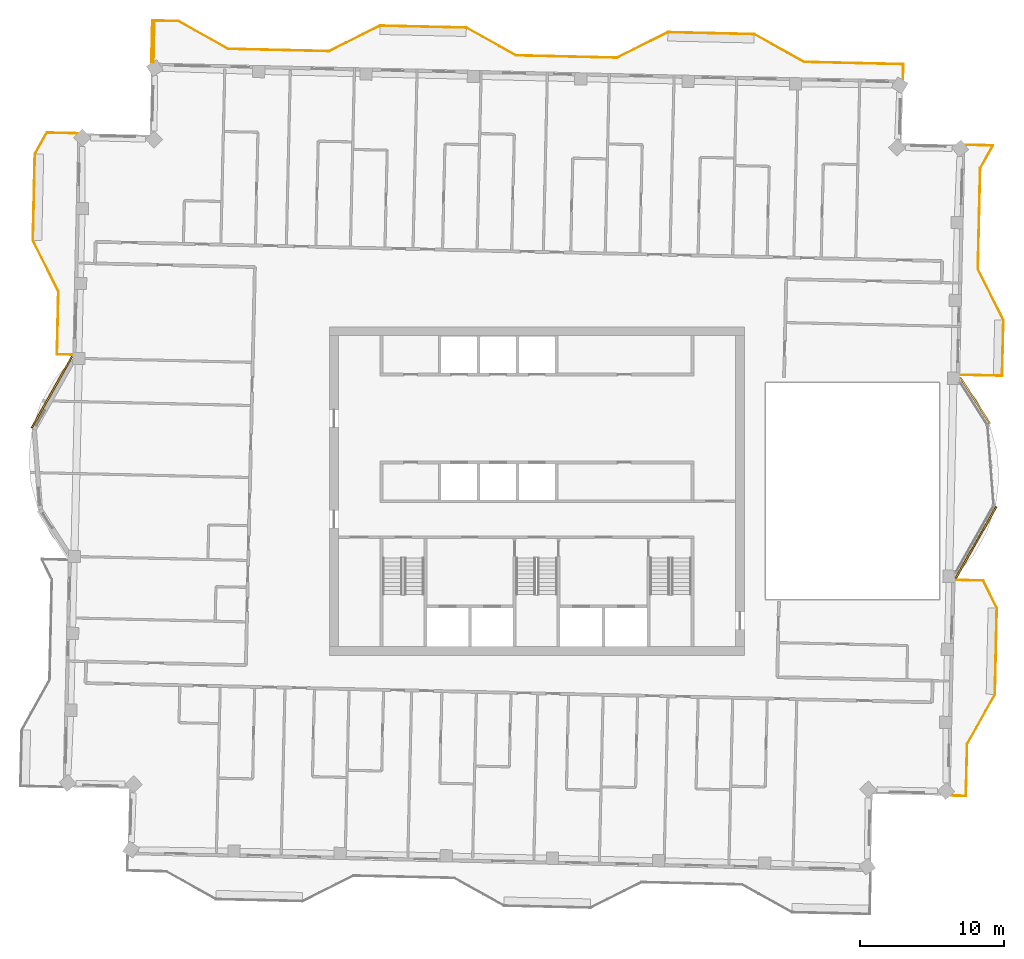
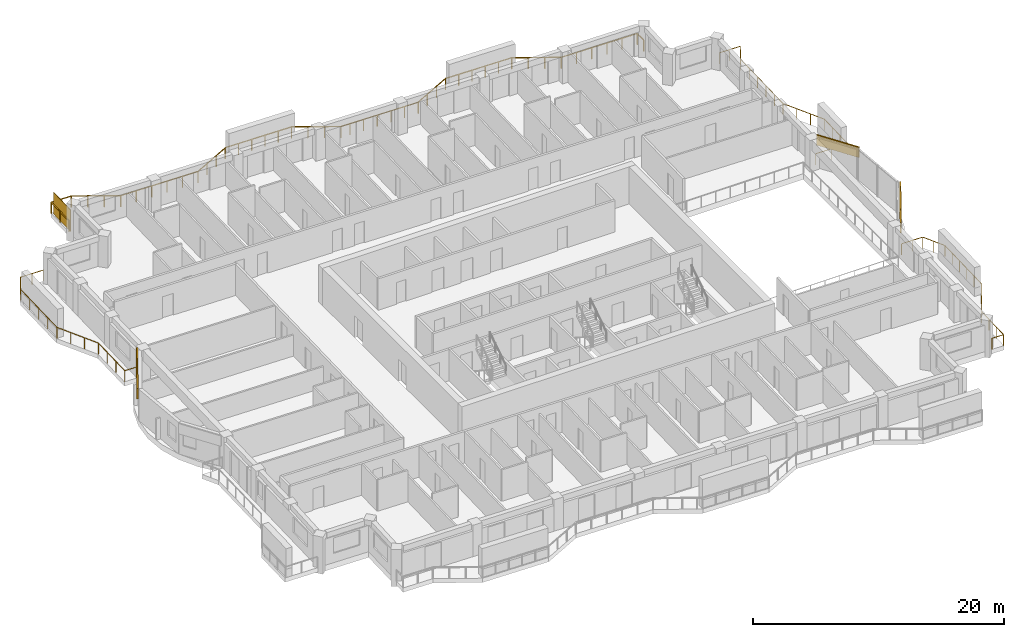
# One storey, part 15 of 15: 4 railings, 3 coverings, 1 shading device.
"""IFC4 building model written with IfcOpenShell, lengths in metres."""

from ifc_helpers import new_model, si_unit, direction, frame, frame_2d, origin, origin_2d, place, context, subcontext, project, spatial, rectangle, extrude, material, layer, layer_set, type_object, element, save


model = new_model("IFC4")

# Units and contexts
model_context = context("Model", 3, precision=1e-05, world=origin(), true_north=direction((0.0, 1.0)))
body_context = subcontext(model_context, "Body", "Model", "MODEL_VIEW")
ifc_project = project(units=[si_unit("LENGTHUNIT", "METRE"), si_unit("AREAUNIT", "SQUARE_METRE"), si_unit("VOLUMEUNIT", "CUBIC_METRE"), si_unit("PLANEANGLEUNIT", "RADIAN"), si_unit("MASSUNIT", "GRAM", prefix="KILO")], contexts=[model_context])

# Site, building, storey
site_placement = place(None, origin())
site = spatial("IfcSite", under=ifc_project, at=site_placement, CompositionType="ELEMENT")
building_placement = place(site_placement, origin())
building = spatial("IfcBuilding", under=site, at=building_placement, Name="Mangrove Gate Tower", CompositionType="ELEMENT")
storey_placement = place(building_placement, frame((0.0, 0.0, 316.89990234375)))
storey = spatial("IfcBuildingStorey", under=building, at=storey_placement, Name="L81", CompositionType="ELEMENT", Elevation=316.89990234375)

# Railings
ifc_material_1 = material(Name="Stainless steel grade 316 with laminated glass infill", Category="steel")
railing_type = type_object("IfcRailingType", Name="Balcony guard 1100", PredefinedType="GUARDRAIL", material=ifc_material_1)
railing_1_placement = place(storey_placement, frame((28.73095703125, -21.14404296875, 0.0)))
element("IfcRailing", 1, at=railing_1_placement, inside=storey, type_object=railing_type, Name="GUARD L81 E1", PredefinedType="GUARDRAIL", context=body_context, shape_type="SweptSolid", body=[
    extrude(rectangle(XDim=0.048095703125, YDim=0.048095703125, at=origin_2d()), frame((0.0, 0.0, 1.076171875), z_axis=(0.999744919731, -0.022585293253, 0.0), x_axis=(0.022585293253, 0.999744919731, 0.0)), (0.0, 0.0, 1.0), 1.059326171875),
    extrude(rectangle(XDim=0.048095703125, YDim=0.048095703125, at=origin_2d()), frame((1.05908203125, -0.02392578125, 1.076171875), z_axis=(0.022787650101, 0.999740327787, 0.0), x_axis=(-0.999740327787, 0.022787650101, 0.0)), (0.0, 0.0, 1.0), 3.599853515625),
    extrude(rectangle(XDim=0.048095703125, YDim=0.048095703125, at=origin_2d()), frame((1.14111328125, 3.574951171875, 1.076171875), z_axis=(0.48726008209, 0.87325689943, 0.0), x_axis=(-0.87325689943, 0.48726008209, 0.0)), (0.0, 0.0, 1.0), 3.958740234375),
    extrude(rectangle(XDim=0.048095703125, YDim=0.048095703125, at=origin_2d()), frame((3.070068359375, 7.031982421875, 1.076171875), z_axis=(0.022662255828, 0.999743178102, 0.0), x_axis=(-0.999743178102, 0.022662255828, 0.0)), (0.0, 0.0, 1.0), 6.00048828125),
    extrude(rectangle(XDim=0.048095703125, YDim=0.048095703125, at=origin_2d()), frame((3.2060546875, 13.031005859375, 1.076171875), z_axis=(-0.4472135955, 0.894427191, 0.0), x_axis=(-0.894427191, -0.4472135955, 0.0)), (0.0, 0.0, 1.0), 2.119873046875),
    extrude(rectangle(XDim=0.048095703125, YDim=0.048095703125, at=origin_2d()), frame((2.258056640625, 14.927001953125, 1.076171875), z_axis=(-0.999737880615, 0.022894760625, 0.0), x_axis=(-0.022894760625, -0.999737880615, 0.0)), (0.0, 0.0, 1.0), 1.91943359375),
    extrude(rectangle(XDim=0.0419921875, YDim=0.0419921875, at=origin_2d()), origin(), (0.0, 0.0, 1.0), 1.052001953125),
    extrude(rectangle(XDim=0.0419921875, YDim=0.0419921875, at=origin_2d()), frame((1.05908203125, -0.02392578125, 0.0)), (0.0, 0.0, 1.0), 1.052001953125),
    extrude(rectangle(XDim=0.0419921875, YDim=0.0419921875, at=origin_2d()), frame((1.08642578125, 1.17578125, 0.0)), (0.0, 0.0, 1.0), 1.052001953125),
    extrude(rectangle(XDim=0.0419921875, YDim=0.0419921875, at=origin_2d()), frame((1.11376953125, 2.375244140625, 0.0)), (0.0, 0.0, 1.0), 1.052001953125),
    extrude(rectangle(XDim=0.0419921875, YDim=0.0419921875, at=origin_2d()), frame((1.14111328125, 3.574951171875, 0.0)), (0.0, 0.0, 1.0), 1.052001953125),
    extrude(rectangle(XDim=0.0419921875, YDim=0.0419921875, at=origin_2d()), frame((1.7841796875, 4.727294921875, 0.0)), (0.0, 0.0, 1.0), 1.052001953125),
    extrude(rectangle(XDim=0.0419921875, YDim=0.0419921875, at=origin_2d()), frame((2.427001953125, 5.879638671875, 0.0)), (0.0, 0.0, 1.0), 1.052001953125),
    extrude(rectangle(XDim=0.0419921875, YDim=0.0419921875, at=origin_2d()), frame((3.070068359375, 7.031982421875, 0.0)), (0.0, 0.0, 1.0), 1.052001953125),
    extrude(rectangle(XDim=0.0419921875, YDim=0.0419921875, at=origin_2d()), frame((3.09716796875, 8.231689453125, 0.0)), (0.0, 0.0, 1.0), 1.052001953125),
    extrude(rectangle(XDim=0.0419921875, YDim=0.0419921875, at=origin_2d()), frame((3.12451171875, 9.431640625, 0.0)), (0.0, 0.0, 1.0), 1.052001953125),
    extrude(rectangle(XDim=0.0419921875, YDim=0.0419921875, at=origin_2d()), frame((3.151611328125, 10.63134765625, 0.0)), (0.0, 0.0, 1.0), 1.052001953125),
    extrude(rectangle(XDim=0.0419921875, YDim=0.0419921875, at=origin_2d()), frame((3.178955078125, 11.831298828125, 0.0)), (0.0, 0.0, 1.0), 1.052001953125),
    extrude(rectangle(XDim=0.0419921875, YDim=0.0419921875, at=origin_2d()), frame((3.2060546875, 13.031005859375, 0.0)), (0.0, 0.0, 1.0), 1.052001953125),
    extrude(rectangle(XDim=0.0419921875, YDim=0.0419921875, at=origin_2d()), frame((2.73193359375, 13.97900390625, 0.0)), (0.0, 0.0, 1.0), 1.052001953125),
    extrude(rectangle(XDim=0.0419921875, YDim=0.0419921875, at=origin_2d()), frame((2.258056640625, 14.927001953125, 0.0)), (0.0, 0.0, 1.0), 1.052001953125),
    extrude(rectangle(XDim=0.0419921875, YDim=0.0419921875, at=origin_2d()), frame((1.298583984375, 14.948974609375, 0.0)), (0.0, 0.0, 1.0), 1.052001953125),
    extrude(rectangle(XDim=0.0419921875, YDim=0.0419921875, at=origin_2d()), frame((0.339111328125, 14.970947265625, 0.0)), (0.0, 0.0, 1.0), 1.052001953125),
])
railing_2_placement = place(storey_placement, frame((29.39404296875, 8.073974609375, 0.0)))
element("IfcRailing", 2, at=railing_2_placement, inside=storey, type_object=railing_type, Name="GUARD L81 E2", PredefinedType="GUARDRAIL", context=body_context, shape_type="SweptSolid", body=[
    extrude(rectangle(XDim=0.048095703125, YDim=0.048095703125, at=origin_2d()), frame((0.0, 0.0, 1.076171875), z_axis=(0.999743349437, -0.022654696127, 0.0), x_axis=(0.022654696127, 0.999743349437, 0.0)), (0.0, 0.0, 1.0), 2.90966796875),
    extrude(rectangle(XDim=0.048095703125, YDim=0.048095703125, at=origin_2d()), frame((2.908935546875, -0.06591796875, 1.076171875), z_axis=(0.022744303924, 0.999741314861, 0.0), x_axis=(-0.999741314861, 0.022744303924, 0.0)), (0.0, 0.0, 1.0), 3.875),
    extrude(rectangle(XDim=0.048095703125, YDim=0.048095703125, at=origin_2d()), frame((2.9970703125, 3.80810546875, 1.076171875), z_axis=(-0.447114919141, 0.894476522376, 0.0), x_axis=(-0.894476522376, -0.447114919141, 0.0)), (0.0, 0.0, 1.0), 3.958740234375),
    extrude(rectangle(XDim=0.048095703125, YDim=0.048095703125, at=origin_2d()), frame((1.22705078125, 7.34912109375, 1.076171875), z_axis=(0.022706351659, 0.999742177561, 0.0), x_axis=(-0.999742177561, 0.022706351659, 0.0)), (0.0, 0.0, 1.0), 6.99951171875),
    extrude(rectangle(XDim=0.048095703125, YDim=0.048095703125, at=origin_2d()), frame((1.385986328125, 14.346923828125, 1.076171875), z_axis=(0.486925774908, 0.87344335233, 0.0), x_axis=(-0.87344335233, 0.486925774908, 0.0)), (0.0, 0.0, 1.0), 1.80908203125),
    extrude(rectangle(XDim=0.048095703125, YDim=0.048095703125, at=origin_2d()), frame((2.266845703125, 15.927001953125, 1.076171875), z_axis=(-0.999745658203, 0.022552580857, 0.0), x_axis=(-0.022552580857, -0.999745658203, 0.0)), (0.0, 0.0, 1.0), 1.9052734375),
    extrude(rectangle(XDim=0.0419921875, YDim=0.0419921875, at=origin_2d()), origin(), (0.0, 0.0, 1.0), 1.052001953125),
    extrude(rectangle(XDim=0.0419921875, YDim=0.0419921875, at=origin_2d()), frame((1.45458984375, -0.032958984375, 0.0)), (0.0, 0.0, 1.0), 1.052001953125),
    extrude(rectangle(XDim=0.0419921875, YDim=0.0419921875, at=origin_2d()), frame((2.908935546875, -0.06591796875, 0.0)), (0.0, 0.0, 1.0), 1.052001953125),
    extrude(rectangle(XDim=0.0419921875, YDim=0.0419921875, at=origin_2d()), frame((2.938232421875, 1.225341796875, 0.0)), (0.0, 0.0, 1.0), 1.052001953125),
    extrude(rectangle(XDim=0.0419921875, YDim=0.0419921875, at=origin_2d()), frame((2.9677734375, 2.516845703125, 0.0)), (0.0, 0.0, 1.0), 1.052001953125),
    extrude(rectangle(XDim=0.0419921875, YDim=0.0419921875, at=origin_2d()), frame((2.9970703125, 3.80810546875, 0.0)), (0.0, 0.0, 1.0), 1.052001953125),
    extrude(rectangle(XDim=0.0419921875, YDim=0.0419921875, at=origin_2d()), frame((2.406982421875, 4.988525390625, 0.0)), (0.0, 0.0, 1.0), 1.052001953125),
    extrude(rectangle(XDim=0.0419921875, YDim=0.0419921875, at=origin_2d()), frame((1.817138671875, 6.168701171875, 0.0)), (0.0, 0.0, 1.0), 1.052001953125),
    extrude(rectangle(XDim=0.0419921875, YDim=0.0419921875, at=origin_2d()), frame((1.22705078125, 7.34912109375, 0.0)), (0.0, 0.0, 1.0), 1.052001953125),
    extrude(rectangle(XDim=0.0419921875, YDim=0.0419921875, at=origin_2d()), frame((1.2587890625, 8.748779296875, 0.0)), (0.0, 0.0, 1.0), 1.052001953125),
    extrude(rectangle(XDim=0.0419921875, YDim=0.0419921875, at=origin_2d()), frame((1.29052734375, 10.148193359375, 0.0)), (0.0, 0.0, 1.0), 1.052001953125),
    extrude(rectangle(XDim=0.0419921875, YDim=0.0419921875, at=origin_2d()), frame((1.322509765625, 11.5478515625, 0.0)), (0.0, 0.0, 1.0), 1.052001953125),
    extrude(rectangle(XDim=0.0419921875, YDim=0.0419921875, at=origin_2d()), frame((1.354248046875, 12.947265625, 0.0)), (0.0, 0.0, 1.0), 1.052001953125),
    extrude(rectangle(XDim=0.0419921875, YDim=0.0419921875, at=origin_2d()), frame((1.385986328125, 14.346923828125, 0.0)), (0.0, 0.0, 1.0), 1.052001953125),
    extrude(rectangle(XDim=0.0419921875, YDim=0.0419921875, at=origin_2d()), frame((1.826416015625, 15.136962890625, 0.0)), (0.0, 0.0, 1.0), 1.052001953125),
    extrude(rectangle(XDim=0.0419921875, YDim=0.0419921875, at=origin_2d()), frame((2.266845703125, 15.927001953125, 0.0)), (0.0, 0.0, 1.0), 1.052001953125),
    extrude(rectangle(XDim=0.0419921875, YDim=0.0419921875, at=origin_2d()), frame((1.314453125, 15.948486328125, 0.0)), (0.0, 0.0, 1.0), 1.052001953125),
    extrude(rectangle(XDim=0.0419921875, YDim=0.0419921875, at=origin_2d()), frame((0.362060546875, 15.969970703125, 0.0)), (0.0, 0.0, 1.0), 1.052001953125),
])
railing_3_placement = place(storey_placement, frame((25.41796875, 28.583984375, 0.0)))
element("IfcRailing", 3, at=railing_3_placement, inside=storey, type_object=railing_type, Name="GUARD L81 N1", PredefinedType="GUARDRAIL", context=body_context, shape_type="SweptSolid", body=[
    extrude(rectangle(XDim=0.048095703125, YDim=0.048095703125, at=origin_2d()), frame((0.0, 0.0, 1.076171875), z_axis=(0.022564497502, 0.999745389313, 0.0), x_axis=(-0.999745389313, 0.022564497502, 0.0)), (0.0, 0.0, 1.0), 1.060302734375),
    extrude(rectangle(XDim=0.048095703125, YDim=0.048095703125, at=origin_2d()), frame((0.02392578125, 1.06005859375, 1.076171875), z_axis=(-0.999744350308, 0.022610484882, 0.0), x_axis=(-0.022610484882, -0.999744350308, 0.0)), (0.0, 0.0, 1.0), 6.899658203125),
    extrude(rectangle(XDim=0.048095703125, YDim=0.048095703125, at=origin_2d()), frame((-6.8740234375, 1.216064453125, 1.076171875), z_axis=(-0.87325689943, 0.48726008209, 0.0), x_axis=(-0.48726008209, -0.87325689943, 0.0)), (0.0, 0.0, 1.0), 3.958740234375),
    extrude(rectangle(XDim=0.048095703125, YDim=0.048095703125, at=origin_2d()), frame((-10.3310546875, 3.14501953125, 1.076171875), z_axis=(-0.999743178102, 0.022662255828, 0.0), x_axis=(-0.022662255828, -0.999743178102, 0.0)), (0.0, 0.0, 1.0), 6.00048828125),
    extrude(rectangle(XDim=0.048095703125, YDim=0.048095703125, at=origin_2d()), frame((-16.330078125, 3.281005859375, 1.076171875), z_axis=(-0.894464192593, -0.447139584658, 0.0), x_axis=(0.447139584658, -0.894464192593, 0.0)), (0.0, 0.0, 1.0), 3.95849609375),
    extrude(rectangle(XDim=0.048095703125, YDim=0.048095703125, at=origin_2d()), frame((-19.870849609375, 1.510986328125, 1.076171875), z_axis=(-0.999740919865, 0.022761659577, 0.0), x_axis=(-0.022761659577, -0.999740919865, 0.0)), (0.0, 0.0, 1.0), 6.19970703125),
    extrude(rectangle(XDim=0.048095703125, YDim=0.048095703125, at=origin_2d()), frame((-26.06884765625, 1.652099609375, 1.076171875), z_axis=(-0.999751971697, 0.022270947188, 0.0), x_axis=(-0.022270947188, -0.999751971697, 0.0)), (0.0, 0.0, 1.0), 0.80029296875),
    extrude(rectangle(XDim=0.048095703125, YDim=0.048095703125, at=origin_2d()), frame((-26.868896484375, 1.669921875, 1.076171875), z_axis=(-0.873230657876, 0.487307108654, 0.0), x_axis=(-0.487307108654, -0.873230657876, 0.0)), (0.0, 0.0, 1.0), 3.958984375),
    extrude(rectangle(XDim=0.048095703125, YDim=0.048095703125, at=origin_2d()), frame((-30.325927734375, 3.59912109375, 1.076171875), z_axis=(-0.999743178102, 0.022662255828, 0.0), x_axis=(-0.022662255828, -0.999743178102, 0.0)), (0.0, 0.0, 1.0), 6.00048828125),
    extrude(rectangle(XDim=0.048095703125, YDim=0.048095703125, at=origin_2d()), frame((-36.324951171875, 3.735107421875, 1.076171875), z_axis=(-0.894476522376, -0.447114919141, 0.0), x_axis=(0.447114919141, -0.894476522376, 0.0)), (0.0, 0.0, 1.0), 3.958740234375),
    extrude(rectangle(XDim=0.048095703125, YDim=0.048095703125, at=origin_2d()), frame((-39.865966796875, 1.965087890625, 1.076171875), z_axis=(-0.999742195543, 0.022705559911, 0.0), x_axis=(-0.022705559911, -0.999742195543, 0.0)), (0.0, 0.0, 1.0), 6.999755859375),
    extrude(rectangle(XDim=0.048095703125, YDim=0.048095703125, at=origin_2d()), frame((-46.864013671875, 2.1240234375, 1.076171875), z_axis=(-0.87325689943, 0.48726008209, 0.0), x_axis=(-0.48726008209, -0.87325689943, 0.0)), (0.0, 0.0, 1.0), 3.958740234375),
    extrude(rectangle(XDim=0.048095703125, YDim=0.048095703125, at=origin_2d()), frame((-50.321044921875, 4.052978515625, 1.076171875), z_axis=(-0.999752642043, 0.022240834685, 0.0), x_axis=(-0.022240834685, -0.999752642043, 0.0)), (0.0, 0.0, 1.0), 1.80029296875),
    extrude(rectangle(XDim=0.048095703125, YDim=0.048095703125, at=origin_2d()), frame((-52.120849609375, 4.093017578125, 1.076171875), z_axis=(-0.022403104328, -0.999749018963, 0.0), x_axis=(0.999749018963, -0.022403104328, 0.0)), (0.0, 0.0, 1.0), 2.90966796875),
    extrude(rectangle(XDim=0.0419921875, YDim=0.0419921875, at=origin_2d()), origin(), (0.0, 0.0, 1.0), 1.052001953125),
    extrude(rectangle(XDim=0.0419921875, YDim=0.0419921875, at=origin_2d()), frame((0.02392578125, 1.06005859375, 0.0)), (0.0, 0.0, 1.0), 1.052001953125),
    extrude(rectangle(XDim=0.0419921875, YDim=0.0419921875, at=origin_2d()), frame((-1.355712890625, 1.09130859375, 0.0)), (0.0, 0.0, 1.0), 1.052001953125),
    extrude(rectangle(XDim=0.0419921875, YDim=0.0419921875, at=origin_2d()), frame((-2.7353515625, 1.12255859375, 0.0)), (0.0, 0.0, 1.0), 1.052001953125),
    extrude(rectangle(XDim=0.0419921875, YDim=0.0419921875, at=origin_2d()), frame((-4.11474609375, 1.153564453125, 0.0)), (0.0, 0.0, 1.0), 1.052001953125),
    extrude(rectangle(XDim=0.0419921875, YDim=0.0419921875, at=origin_2d()), frame((-5.494384765625, 1.184814453125, 0.0)), (0.0, 0.0, 1.0), 1.052001953125),
    extrude(rectangle(XDim=0.0419921875, YDim=0.0419921875, at=origin_2d()), frame((-6.8740234375, 1.216064453125, 0.0)), (0.0, 0.0, 1.0), 1.052001953125),
    extrude(rectangle(XDim=0.0419921875, YDim=0.0419921875, at=origin_2d()), frame((-8.0263671875, 1.859130859375, 0.0)), (0.0, 0.0, 1.0), 1.052001953125),
    extrude(rectangle(XDim=0.0419921875, YDim=0.0419921875, at=origin_2d()), frame((-9.1787109375, 2.501953125, 0.0)), (0.0, 0.0, 1.0), 1.052001953125),
    extrude(rectangle(XDim=0.0419921875, YDim=0.0419921875, at=origin_2d()), frame((-10.3310546875, 3.14501953125, 0.0)), (0.0, 0.0, 1.0), 1.052001953125),
    extrude(rectangle(XDim=0.0419921875, YDim=0.0419921875, at=origin_2d()), frame((-11.53076171875, 3.172119140625, 0.0)), (0.0, 0.0, 1.0), 1.052001953125),
    extrude(rectangle(XDim=0.0419921875, YDim=0.0419921875, at=origin_2d()), frame((-12.730712890625, 3.199462890625, 0.0)), (0.0, 0.0, 1.0), 1.052001953125),
    extrude(rectangle(XDim=0.0419921875, YDim=0.0419921875, at=origin_2d()), frame((-13.930419921875, 3.2265625, 0.0)), (0.0, 0.0, 1.0), 1.052001953125),
    extrude(rectangle(XDim=0.0419921875, YDim=0.0419921875, at=origin_2d()), frame((-15.13037109375, 3.25390625, 0.0)), (0.0, 0.0, 1.0), 1.052001953125),
    extrude(rectangle(XDim=0.0419921875, YDim=0.0419921875, at=origin_2d()), frame((-16.330078125, 3.281005859375, 0.0)), (0.0, 0.0, 1.0), 1.052001953125),
    extrude(rectangle(XDim=0.0419921875, YDim=0.0419921875, at=origin_2d()), frame((-17.51025390625, 2.69091796875, 0.0)), (0.0, 0.0, 1.0), 1.052001953125),
    extrude(rectangle(XDim=0.0419921875, YDim=0.0419921875, at=origin_2d()), frame((-18.690673828125, 2.10107421875, 0.0)), (0.0, 0.0, 1.0), 1.052001953125),
    extrude(rectangle(XDim=0.0419921875, YDim=0.0419921875, at=origin_2d()), frame((-19.870849609375, 1.510986328125, 0.0)), (0.0, 0.0, 1.0), 1.052001953125),
    extrude(rectangle(XDim=0.0419921875, YDim=0.0419921875, at=origin_2d()), frame((-21.1103515625, 1.539306640625, 0.0)), (0.0, 0.0, 1.0), 1.052001953125),
    extrude(rectangle(XDim=0.0419921875, YDim=0.0419921875, at=origin_2d()), frame((-22.35009765625, 1.5673828125, 0.0)), (0.0, 0.0, 1.0), 1.052001953125),
    extrude(rectangle(XDim=0.0419921875, YDim=0.0419921875, at=origin_2d()), frame((-23.589599609375, 1.595703125, 0.0)), (0.0, 0.0, 1.0), 1.052001953125),
    extrude(rectangle(XDim=0.0419921875, YDim=0.0419921875, at=origin_2d()), frame((-24.829345703125, 1.623779296875, 0.0)), (0.0, 0.0, 1.0), 1.052001953125),
    extrude(rectangle(XDim=0.0419921875, YDim=0.0419921875, at=origin_2d()), frame((-26.06884765625, 1.652099609375, 0.0)), (0.0, 0.0, 1.0), 1.052001953125),
    extrude(rectangle(XDim=0.0419921875, YDim=0.0419921875, at=origin_2d()), frame((-26.868896484375, 1.669921875, 0.0)), (0.0, 0.0, 1.0), 1.052001953125),
    extrude(rectangle(XDim=0.0419921875, YDim=0.0419921875, at=origin_2d()), frame((-28.021240234375, 2.31298828125, 0.0)), (0.0, 0.0, 1.0), 1.052001953125),
    extrude(rectangle(XDim=0.0419921875, YDim=0.0419921875, at=origin_2d()), frame((-29.173583984375, 2.9560546875, 0.0)), (0.0, 0.0, 1.0), 1.052001953125),
    extrude(rectangle(XDim=0.0419921875, YDim=0.0419921875, at=origin_2d()), frame((-30.325927734375, 3.59912109375, 0.0)), (0.0, 0.0, 1.0), 1.052001953125),
    extrude(rectangle(XDim=0.0419921875, YDim=0.0419921875, at=origin_2d()), frame((-31.525634765625, 3.626220703125, 0.0)), (0.0, 0.0, 1.0), 1.052001953125),
    extrude(rectangle(XDim=0.0419921875, YDim=0.0419921875, at=origin_2d()), frame((-32.7255859375, 3.653564453125, 0.0)), (0.0, 0.0, 1.0), 1.052001953125),
    extrude(rectangle(XDim=0.0419921875, YDim=0.0419921875, at=origin_2d()), frame((-33.92529296875, 3.6806640625, 0.0)), (0.0, 0.0, 1.0), 1.052001953125),
    extrude(rectangle(XDim=0.0419921875, YDim=0.0419921875, at=origin_2d()), frame((-35.125244140625, 3.7080078125, 0.0)), (0.0, 0.0, 1.0), 1.052001953125),
    extrude(rectangle(XDim=0.0419921875, YDim=0.0419921875, at=origin_2d()), frame((-36.324951171875, 3.735107421875, 0.0)), (0.0, 0.0, 1.0), 1.052001953125),
    extrude(rectangle(XDim=0.0419921875, YDim=0.0419921875, at=origin_2d()), frame((-37.50537109375, 3.14501953125, 0.0)), (0.0, 0.0, 1.0), 1.052001953125),
    extrude(rectangle(XDim=0.0419921875, YDim=0.0419921875, at=origin_2d()), frame((-38.685546875, 2.55517578125, 0.0)), (0.0, 0.0, 1.0), 1.052001953125),
    extrude(rectangle(XDim=0.0419921875, YDim=0.0419921875, at=origin_2d()), frame((-39.865966796875, 1.965087890625, 0.0)), (0.0, 0.0, 1.0), 1.052001953125),
    extrude(rectangle(XDim=0.0419921875, YDim=0.0419921875, at=origin_2d()), frame((-41.265625, 1.996826171875, 0.0)), (0.0, 0.0, 1.0), 1.052001953125),
    extrude(rectangle(XDim=0.0419921875, YDim=0.0419921875, at=origin_2d()), frame((-42.665283203125, 2.028564453125, 0.0)), (0.0, 0.0, 1.0), 1.052001953125),
    extrude(rectangle(XDim=0.0419921875, YDim=0.0419921875, at=origin_2d()), frame((-44.064697265625, 2.060546875, 0.0)), (0.0, 0.0, 1.0), 1.052001953125),
    extrude(rectangle(XDim=0.0419921875, YDim=0.0419921875, at=origin_2d()), frame((-45.46435546875, 2.09228515625, 0.0)), (0.0, 0.0, 1.0), 1.052001953125),
    extrude(rectangle(XDim=0.0419921875, YDim=0.0419921875, at=origin_2d()), frame((-46.864013671875, 2.1240234375, 0.0)), (0.0, 0.0, 1.0), 1.052001953125),
    extrude(rectangle(XDim=0.0419921875, YDim=0.0419921875, at=origin_2d()), frame((-48.016357421875, 2.76708984375, 0.0)), (0.0, 0.0, 1.0), 1.052001953125),
    extrude(rectangle(XDim=0.0419921875, YDim=0.0419921875, at=origin_2d()), frame((-49.168701171875, 3.409912109375, 0.0)), (0.0, 0.0, 1.0), 1.052001953125),
    extrude(rectangle(XDim=0.0419921875, YDim=0.0419921875, at=origin_2d()), frame((-50.321044921875, 4.052978515625, 0.0)), (0.0, 0.0, 1.0), 1.052001953125),
    extrude(rectangle(XDim=0.0419921875, YDim=0.0419921875, at=origin_2d()), frame((-51.220947265625, 4.072998046875, 0.0)), (0.0, 0.0, 1.0), 1.052001953125),
    extrude(rectangle(XDim=0.0419921875, YDim=0.0419921875, at=origin_2d()), frame((-52.120849609375, 4.093017578125, 0.0)), (0.0, 0.0, 1.0), 1.052001953125),
    extrude(rectangle(XDim=0.0419921875, YDim=0.0419921875, at=origin_2d()), frame((-52.1533203125, 2.638671875, 0.0)), (0.0, 0.0, 1.0), 1.052001953125),
    extrude(rectangle(XDim=0.0419921875, YDim=0.0419921875, at=origin_2d()), frame((-52.18603515625, 1.18408203125, 0.0)), (0.0, 0.0, 1.0), 1.052001953125),
])
railing_4_placement = place(storey_placement, frame((-31.922119140625, 24.843994140625, 0.0)))
element("IfcRailing", 4, at=railing_4_placement, inside=storey, type_object=railing_type, Name="GUARD L81 W1", PredefinedType="GUARDRAIL", context=body_context, shape_type="SweptSolid", body=[
    extrude(rectangle(XDim=0.048095703125, YDim=0.048095703125, at=origin_2d()), frame((0.0, 0.0, 1.076171875), z_axis=(-0.99974177599, 0.022724025599, 0.0), x_axis=(-0.022724025599, -0.99974177599, 0.0)), (0.0, 0.0, 1.0), 2.116455078125),
    extrude(rectangle(XDim=0.048095703125, YDim=0.048095703125, at=origin_2d()), frame((-2.115966796875, 0.048095703125, 1.076171875), z_axis=(-0.487205459028, -0.873287375778, 0.0), x_axis=(0.873287375778, -0.487205459028, 0.0)), (0.0, 0.0, 1.0), 1.697265625),
    extrude(rectangle(XDim=0.048095703125, YDim=0.048095703125, at=origin_2d()), frame((-2.94287109375, -1.43408203125, 1.076171875), z_axis=(-0.022666865795, -0.999743073592, 0.0), x_axis=(0.999743073592, -0.022666865795, 0.0)), (0.0, 0.0, 1.0), 5.999267578125),
    extrude(rectangle(XDim=0.048095703125, YDim=0.048095703125, at=origin_2d()), frame((-3.078857421875, -7.431884765625, 1.076171875), z_axis=(0.447114919141, -0.894476522376, 0.0), x_axis=(0.894476522376, 0.447114919141, 0.0)), (0.0, 0.0, 1.0), 3.958740234375),
    extrude(rectangle(XDim=0.048095703125, YDim=0.048095703125, at=origin_2d()), frame((-1.308837890625, -10.972900390625, 1.076171875), z_axis=(-0.022655491882, -0.999743331404, 0.0), x_axis=(0.999743331404, -0.022655491882, 0.0)), (0.0, 0.0, 1.0), 4.375244140625),
    extrude(rectangle(XDim=0.048095703125, YDim=0.048095703125, at=origin_2d()), frame((-1.407958984375, -15.346923828125, 1.076171875), z_axis=(0.999740168701, -0.022794628443, 0.0), x_axis=(0.022794628443, 0.999740168701, 0.0)), (0.0, 0.0, 1.0), 1.060302734375),
    extrude(rectangle(XDim=0.0419921875, YDim=0.0419921875, at=origin_2d()), origin(), (0.0, 0.0, 1.0), 1.052001953125),
    extrude(rectangle(XDim=0.0419921875, YDim=0.0419921875, at=origin_2d()), frame((-1.05810546875, 0.02392578125, 0.0)), (0.0, 0.0, 1.0), 1.052001953125),
    extrude(rectangle(XDim=0.0419921875, YDim=0.0419921875, at=origin_2d()), frame((-2.115966796875, 0.048095703125, 0.0)), (0.0, 0.0, 1.0), 1.052001953125),
    extrude(rectangle(XDim=0.0419921875, YDim=0.0419921875, at=origin_2d()), frame((-2.529296875, -0.69287109375, 0.0)), (0.0, 0.0, 1.0), 1.052001953125),
    extrude(rectangle(XDim=0.0419921875, YDim=0.0419921875, at=origin_2d()), frame((-2.94287109375, -1.43408203125, 0.0)), (0.0, 0.0, 1.0), 1.052001953125),
    extrude(rectangle(XDim=0.0419921875, YDim=0.0419921875, at=origin_2d()), frame((-2.976806640625, -2.93359375, 0.0)), (0.0, 0.0, 1.0), 1.052001953125),
    extrude(rectangle(XDim=0.0419921875, YDim=0.0419921875, at=origin_2d()), frame((-3.0107421875, -4.43310546875, 0.0)), (0.0, 0.0, 1.0), 1.052001953125),
    extrude(rectangle(XDim=0.0419921875, YDim=0.0419921875, at=origin_2d()), frame((-3.044921875, -5.932373046875, 0.0)), (0.0, 0.0, 1.0), 1.052001953125),
    extrude(rectangle(XDim=0.0419921875, YDim=0.0419921875, at=origin_2d()), frame((-3.078857421875, -7.431884765625, 0.0)), (0.0, 0.0, 1.0), 1.052001953125),
    extrude(rectangle(XDim=0.0419921875, YDim=0.0419921875, at=origin_2d()), frame((-2.48876953125, -8.6123046875, 0.0)), (0.0, 0.0, 1.0), 1.052001953125),
    extrude(rectangle(XDim=0.0419921875, YDim=0.0419921875, at=origin_2d()), frame((-1.89892578125, -9.79248046875, 0.0)), (0.0, 0.0, 1.0), 1.052001953125),
    extrude(rectangle(XDim=0.0419921875, YDim=0.0419921875, at=origin_2d()), frame((-1.308837890625, -10.972900390625, 0.0)), (0.0, 0.0, 1.0), 1.052001953125),
    extrude(rectangle(XDim=0.0419921875, YDim=0.0419921875, at=origin_2d()), frame((-1.341796875, -12.430908203125, 0.0)), (0.0, 0.0, 1.0), 1.052001953125),
    extrude(rectangle(XDim=0.0419921875, YDim=0.0419921875, at=origin_2d()), frame((-1.375, -13.888916015625, 0.0)), (0.0, 0.0, 1.0), 1.052001953125),
    extrude(rectangle(XDim=0.0419921875, YDim=0.0419921875, at=origin_2d()), frame((-1.407958984375, -15.346923828125, 0.0)), (0.0, 0.0, 1.0), 1.052001953125),
    extrude(rectangle(XDim=0.0419921875, YDim=0.0419921875, at=origin_2d()), frame((-0.347900390625, -15.37109375, 0.0)), (0.0, 0.0, 1.0), 1.052001953125),
])

# Shading device
ifc_material_2 = material(Name="Timber slat screen in teak", Category="wood")
shading_device_type = type_object("IfcShadingDeviceType", Name="Balcony screen 2100", PredefinedType="USERDEFINED", material=ifc_material_2)
shading_device_placement = place(storey_placement, frame((-26.596923828125, 31.138916015625, 0.0), z_axis=(0.0, 0.0, 1.0), x_axis=(0.022408151889, 0.99974890584, 0.0)))
element("IfcShadingDevice", 5, at=shading_device_placement, inside=storey, type_object=shading_device_type, Name="SCREEN L81 N1", ObjectType="SCREEN", PredefinedType="USERDEFINED", context=body_context, shape_type="SweptSolid", body=[
    extrude(rectangle(XDim=2.7900390625, YDim=0.050048828125, at=origin_2d()), origin(), (0.0, 0.0, 1.0), 2.10009765625),
])

# Coverings
ifc_material_3 = material(Name="Limestone", Category="masonry")
ifc_layer_1 = layer(ifc_material_3, 0.0400390625, Name="Limestone cladding")
ifc_material_4 = material(Name="Stainless steel anchors and cavity", Category="steel")
ifc_layer_2 = layer(ifc_material_4, 0.080078125, Name="Fixing cavity")
ifc_layer_set = layer_set([ifc_layer_1, ifc_layer_2], Name="Joint fascia cladding 120")
covering_type = type_object("IfcCoveringType", Name="Joint fascia cladding 120", PredefinedType="CLADDING", material=ifc_layer_set)
covering_1_placement = place(storey_placement, frame((29.083740234375, -6.0478515625, 2.050048828125), z_axis=(0.0, 0.0, 1.0), x_axis=(0.492470399093, 0.870329194051, 0.0)))
element("IfcCovering", 6, at=covering_1_placement, inside=storey, type_object=covering_type, Name="STONE FASCIA L81 E1.L1", PredefinedType="CLADDING", context=body_context, shape_type="SweptSolid", body=[
    extrude(rectangle(XDim=5.70458984375, YDim=0.1201171875, at=frame_2d((2.852294921875, 0.0))), origin(), (0.0, 0.0, 1.0), 1.0),
])
covering_2_placement = place(storey_placement, frame((31.4580078125, 4.69091796875, 2.050048828125), z_axis=(0.0, 0.0, 1.0), x_axis=(-0.540573367362, 0.841296876554, 0.0)))
element("IfcCovering", 7, at=covering_2_placement, inside=storey, type_object=covering_type, Name="STONE FASCIA L81 E1.L2", PredefinedType="CLADDING", context=body_context, shape_type="SweptSolid", body=[
    extrude(rectangle(XDim=3.818115234375, YDim=0.1201171875, at=frame_2d((1.9091796875, 0.0))), origin(), (0.0, 0.0, 1.0), 1.0),
])
covering_3_placement = place(storey_placement, frame((-32.28369140625, 9.347900390625, 2.050048828125), z_axis=(0.0, 0.0, 1.0), x_axis=(-0.492470399093, -0.870329194051, 0.0)))
element("IfcCovering", 8, at=covering_3_placement, inside=storey, type_object=covering_type, Name="STONE FASCIA L81 W9.L1", PredefinedType="CLADDING", context=body_context, shape_type="SweptSolid", body=[
    extrude(rectangle(XDim=5.70458984375, YDim=0.1201171875, at=frame_2d((2.852294921875, 0.0))), origin(), (0.0, 0.0, 1.0), 1.0),
])

save(model, "model.ifc")
